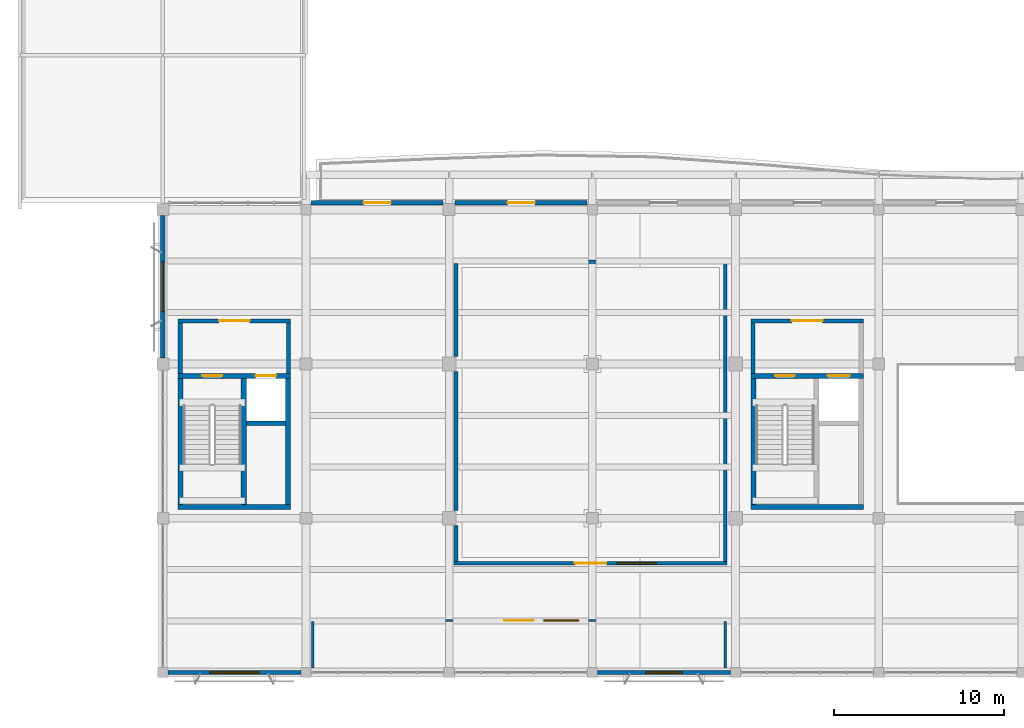
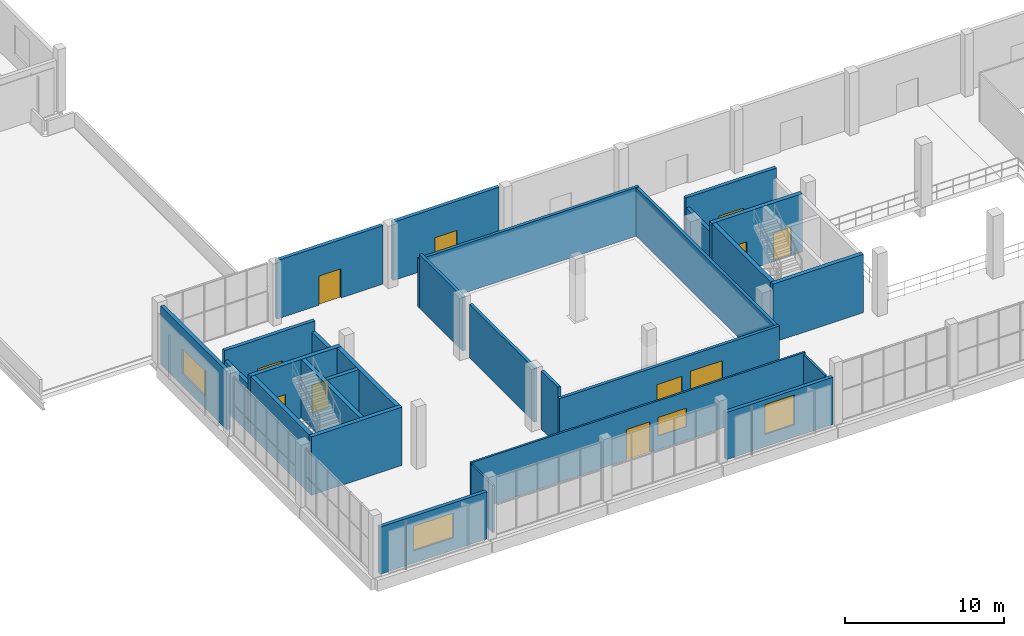
# One storey, part 56 of 80: 28 walls, 10 doors, 5 windows, 15 openings.
"""IFC4 building model written with IfcOpenShell, lengths in metres."""

from ifc_helpers import new_model, si_unit, direction, frame, frame_2d, origin, place, context, subcontext, project, spatial, rectangle, extrude, material, layer, layer_set, type_object, element, fill, save


model = new_model("IFC4")

# Units and contexts
model_context = context("Model", 3, precision=1e-05, world=origin(), true_north=direction((0.0, 1.0)))
body_context = subcontext(model_context, "Body", "Model", "MODEL_VIEW")
ifc_project = project(units=[si_unit("LENGTHUNIT", "METRE"), si_unit("AREAUNIT", "SQUARE_METRE"), si_unit("VOLUMEUNIT", "CUBIC_METRE"), si_unit("PLANEANGLEUNIT", "RADIAN"), si_unit("MASSUNIT", "GRAM", prefix="KILO")], contexts=[model_context])

# Site, building, storey
site_placement = place(None, origin())
site = spatial("IfcSite", under=ifc_project, at=site_placement, CompositionType="ELEMENT")
building_placement = place(site_placement, origin())
building = spatial("IfcBuilding", under=site, at=building_placement, Name="Khurvash Pelagic Aquarium", CompositionType="ELEMENT")
storey_placement = place(building_placement, frame((0.0, 0.0, 10.800048828125)))
storey = spatial("IfcBuildingStorey", under=building, at=storey_placement, Name="L02", CompositionType="ELEMENT", Elevation=10.800048828125)

# Wall, opening, window
ifc_material_1 = material(Name="Glass-fibre reinforced concrete C40/50", Category="concrete")
ifc_layer_1 = layer(ifc_material_1, 0.260009765625)
ifc_layer_set_1 = layer_set([ifc_layer_1], Name="Glass-fibre reinforced concrete C40/50")
wall_type_1 = type_object("IfcWallType", Name="EW-260", PredefinedType="STANDARD", material=ifc_layer_set_1)
wall_1_placement = place(storey_placement, frame((25.199951171875, 29.39501953125, 0.0), z_axis=(0.0, 0.0, 1.0), x_axis=(0.0, -1.0, 0.0)))
wall_1 = element("IfcWall", 1, at=wall_1_placement, inside=storey, type_object=wall_type_1, Name="L02 Exterior Architectural Facade Wall EW-260 0066", PredefinedType="STANDARD", context=body_context, shape_type="SweptSolid", body=[
    extrude(rectangle(XDim=8.340087890625, YDim=0.260009765625, at=frame_2d((4.169921875, 0.0))), origin(), (0.0, 0.0, 1.0), 4.5),
])
opening_1_placement = place(wall_1_placement, frame((2.719970703125, 0.0, 0.949951171875)))
opening_1 = element("IfcOpeningElement", 2, at=opening_1_placement, cuts=wall_1, Name="Opening WN-26", PredefinedType="OPENING", context=body_context, shape_type="SweptSolid", body=[
    extrude(rectangle(XDim=2.89990234375, YDim=1.89990234375, at=frame_2d((1.449951171875, 0.949951171875))), frame((0.0, 0.14013671875, 0.0), z_axis=(0.0, -1.0, 0.0), x_axis=(1.0, 0.0, 0.0)), (0.0, 0.0, 1.0), 0.280029296875),
])
ifc_material_2 = material(Name="Thermally broken aluminium and low-E glass", Category="aluminium")
window_type_1 = type_object("IfcWindowType", Name="WN-26", PartitioningType="SINGLE_PANEL", PredefinedType="WINDOW", material=ifc_material_2)
window_1_placement = place(opening_1_placement, origin())
window_1 = element("IfcWindow", 3, at=window_1_placement, inside=storey, type_object=window_type_1, Name="L02 Facade Window WN-26 0037", OverallHeight=1.89990234375, OverallWidth=2.89990234375, PartitioningType="SINGLE_PANEL", PredefinedType="WINDOW", context=body_context, shape_type="SweptSolid", body=[
    extrude(rectangle(XDim=2.89990234375, YDim=1.89990234375, at=frame_2d((1.449951171875, 0.949951171875))), frame((0.0, 0.030029296875, 0.0), z_axis=(0.0, -1.0, 0.0), x_axis=(1.0, 0.0, 0.0)), (0.0, 0.0, 1.0), 0.06005859375),
])
fill(opening_1, window_1)

wall_2_placement = place(storey_placement, frame((25.5048828125, 2.60009765625, 0.0), z_axis=(0.0, 0.0, 1.0), x_axis=(1.0, 0.0, 0.0)))
wall_2 = element("IfcWall", 4, at=wall_2_placement, inside=storey, type_object=wall_type_1, Name="L02 Exterior Architectural Facade Wall EW-260 0067", PredefinedType="STANDARD", context=body_context, shape_type="SweptSolid", body=[
    extrude(rectangle(XDim=7.7900390625, YDim=0.260009765625, at=frame_2d((3.89501953125, 0.0))), origin(), (0.0, 0.0, 1.0), 3.6298828125),
])
opening_2_placement = place(wall_2_placement, frame((2.445068359375, 0.0, 0.949951171875)))
opening_2 = element("IfcOpeningElement", 5, at=opening_2_placement, cuts=wall_2, Name="Opening WN-26", PredefinedType="OPENING", context=body_context, shape_type="SweptSolid", body=[
    extrude(rectangle(XDim=2.89990234375, YDim=1.89990234375, at=frame_2d((1.449951171875, 0.949951171875))), frame((0.0, 0.14013671875, 0.0), z_axis=(0.0, -1.0, 0.0), x_axis=(1.0, 0.0, 0.0)), (0.0, 0.0, 1.0), 0.280029296875),
])
window_2_placement = place(opening_2_placement, origin())
window_2 = element("IfcWindow", 6, at=window_2_placement, inside=storey, type_object=window_type_1, Name="L02 Facade Window WN-26 0038", OverallHeight=1.89990234375, OverallWidth=2.89990234375, PartitioningType="SINGLE_PANEL", PredefinedType="WINDOW", context=body_context, shape_type="SweptSolid", body=[
    extrude(rectangle(XDim=2.89990234375, YDim=1.89990234375, at=frame_2d((1.449951171875, 0.949951171875))), frame((0.0, 0.030029296875, 0.0), z_axis=(0.0, -1.0, 0.0), x_axis=(1.0, 0.0, 0.0)), (0.0, 0.0, 1.0), 0.06005859375),
])
fill(opening_2, window_2)

wall_3_placement = place(storey_placement, frame((50.705078125, 2.60009765625, 0.0), z_axis=(0.0, 0.0, 1.0), x_axis=(1.0, 0.0, 0.0)))
wall_3 = element("IfcWall", 7, at=wall_3_placement, inside=storey, type_object=wall_type_1, Name="L02 Exterior Architectural Facade Wall EW-260 0068", PredefinedType="STANDARD", context=body_context, shape_type="SweptSolid", body=[
    extrude(rectangle(XDim=7.7900390625, YDim=0.260009765625, at=frame_2d((3.89501953125, 0.0))), origin(), (0.0, 0.0, 1.0), 3.6298828125),
])
opening_3_placement = place(wall_3_placement, frame((2.820068359375, 0.0, 0.949951171875)))
opening_3 = element("IfcOpeningElement", 8, at=opening_3_placement, cuts=wall_3, Name="Opening WN-30", PredefinedType="OPENING", context=body_context, shape_type="SweptSolid", body=[
    extrude(rectangle(XDim=2.14990234375, YDim=2.300048828125, at=frame_2d((1.074951171875, 1.14990234375))), frame((0.0, 0.14013671875, 0.0), z_axis=(0.0, -1.0, 0.0), x_axis=(1.0, 0.0, 0.0)), (0.0, 0.0, 1.0), 0.280029296875),
])
window_type_2 = type_object("IfcWindowType", Name="WN-30", PartitioningType="SINGLE_PANEL", PredefinedType="WINDOW", material=ifc_material_2)
window_3_placement = place(opening_3_placement, origin())
window_3 = element("IfcWindow", 9, at=window_3_placement, inside=storey, type_object=window_type_2, Name="L02 Facade Window WN-30 0039", OverallHeight=2.300048828125, OverallWidth=2.14990234375, PartitioningType="SINGLE_PANEL", PredefinedType="WINDOW", context=body_context, shape_type="SweptSolid", body=[
    extrude(rectangle(XDim=2.14990234375, YDim=2.300048828125, at=frame_2d((1.074951171875, 1.14990234375))), frame((0.0, 0.030029296875, 0.0), z_axis=(0.0, -1.0, 0.0), x_axis=(1.0, 0.0, 0.0)), (0.0, 0.0, 1.0), 0.06005859375),
])
fill(opening_3, window_3)

# Wall, opening, door
wall_4_placement = place(storey_placement, frame((50.094970703125, 30.14990234375, 0.0), z_axis=(0.0, 0.0, 1.0), x_axis=(-1.0, 0.0, 0.0)))
wall_4 = element("IfcWall", 10, at=wall_4_placement, inside=storey, type_object=wall_type_1, Name="L02 Exterior Architectural Facade Wall EW-260 0078", PredefinedType="STANDARD", context=body_context, shape_type="SweptSolid", body=[
    extrude(rectangle(XDim=7.739990234375, YDim=0.260009765625, at=frame_2d((3.8701171875, 0.0))), origin(), (0.0, 0.0, 1.0), 4.5),
])
opening_4_placement = place(wall_4_placement, frame((3.070068359375, 0.0, 0.0)))
opening_4 = element("IfcOpeningElement", 11, at=opening_4_placement, cuts=wall_4, Name="Opening ED-03", PredefinedType="OPENING", context=body_context, shape_type="SweptSolid", body=[
    extrude(rectangle(XDim=1.60009765625, YDim=2.25, at=frame_2d((0.800048828125, 1.125))), frame((0.0, 0.14013671875, 0.0), z_axis=(0.0, -1.0, 0.0), x_axis=(1.0, 0.0, 0.0)), (0.0, 0.0, 1.0), 0.280029296875),
])
ifc_material_3 = material(Name="Thermally broken glazed aluminium", Category="aluminium")
door_type_1 = type_object("IfcDoorType", Name="ED-03", OperationType="DOUBLE_DOOR_SINGLE_SWING", PredefinedType="DOOR", material=ifc_material_3)
door_1_placement = place(opening_4_placement, frame((1.60009765625, 0.0, 0.0), z_axis=(0.0, 0.0, 1.0), x_axis=(-1.0, 0.0, 0.0)))
door_1 = element("IfcDoor", 12, at=door_1_placement, inside=storey, type_object=door_type_1, Name="DR-0150", OperationType="DOUBLE_DOOR_SINGLE_SWING", OverallHeight=2.25, OverallWidth=1.60009765625, PredefinedType="DOOR", context=body_context, shape_type="SweptSolid", body=[
    extrude(rectangle(XDim=1.60009765625, YDim=2.25, at=frame_2d((0.800048828125, 1.125))), frame((0.0, 0.02490234375, 0.0), z_axis=(0.0, -1.0, 0.0), x_axis=(1.0, 0.0, 0.0)), (0.0, 0.0, 1.0), 0.050048828125),
])
fill(opening_4, door_1)

wall_5_placement = place(storey_placement, frame((41.64501953125, 30.14990234375, 0.0), z_axis=(0.0, 0.0, 1.0), x_axis=(-1.0, 0.0, 0.0)))
wall_5 = element("IfcWall", 13, at=wall_5_placement, inside=storey, type_object=wall_type_1, Name="L02 Exterior Architectural Facade Wall EW-260 0079", PredefinedType="STANDARD", context=body_context, shape_type="SweptSolid", body=[
    extrude(rectangle(XDim=7.739990234375, YDim=0.260009765625, at=frame_2d((3.8701171875, 0.0))), origin(), (0.0, 0.0, 1.0), 4.5),
])
opening_5_placement = place(wall_5_placement, frame((3.070068359375, 0.0, 0.0)))
opening_5 = element("IfcOpeningElement", 14, at=opening_5_placement, cuts=wall_5, Name="Opening ED-03", PredefinedType="OPENING", context=body_context, shape_type="SweptSolid", body=[
    extrude(rectangle(XDim=1.60009765625, YDim=2.25, at=frame_2d((0.800048828125, 1.125))), frame((0.0, 0.14013671875, 0.0), z_axis=(0.0, -1.0, 0.0), x_axis=(1.0, 0.0, 0.0)), (0.0, 0.0, 1.0), 0.280029296875),
])
door_2_placement = place(opening_5_placement, frame((1.60009765625, 0.0, 0.0), z_axis=(0.0, 0.0, 1.0), x_axis=(-1.0, 0.0, 0.0)))
door_2 = element("IfcDoor", 15, at=door_2_placement, inside=storey, type_object=door_type_1, Name="DR-0151", OperationType="DOUBLE_DOOR_SINGLE_SWING", OverallHeight=2.25, OverallWidth=1.60009765625, PredefinedType="DOOR", context=body_context, shape_type="SweptSolid", body=[
    extrude(rectangle(XDim=1.60009765625, YDim=2.25, at=frame_2d((0.800048828125, 1.125))), frame((0.0, 0.02490234375, 0.0), z_axis=(0.0, -1.0, 0.0), x_axis=(1.0, 0.0, 0.0)), (0.0, 0.0, 1.0), 0.050048828125),
])
fill(opening_5, door_2)

# Wall, openings, door, window
ifc_material_4 = material(Name="Moisture-resistant gypsum and steel stud", Category="steel")
ifc_layer_2 = layer(ifc_material_4, 0.139892578125)
ifc_layer_set_2 = layer_set([ifc_layer_2], Name="Moisture-resistant gypsum and steel stud")
wall_type_2 = type_object("IfcWallType", Name="PW-140", PredefinedType="PARTITIONING", material=ifc_layer_set_2)
wall_6_placement = place(storey_placement, frame((33.929931640625, 5.64990234375, 0.0), z_axis=(0.0, 0.0, 1.0), x_axis=(1.0, 0.0, 0.0)))
wall_6 = element("IfcWall", 16, at=wall_6_placement, inside=storey, type_object=wall_type_2, Name="L02 Indus Blind Dolphin Habitat Gallery Partition Wall PW-140", PredefinedType="PARTITIONING", context=body_context, shape_type="SweptSolid", body=[
    extrude(rectangle(XDim=24.340087890625, YDim=0.139892578125, at=frame_2d((12.169921875, 0.0))), origin(), (0.0, 0.0, 1.0), 3.75),
])
opening_6_placement = place(wall_6_placement, frame((11.31005859375, 0.0, 0.0)))
opening_6 = element("IfcOpeningElement", 17, at=opening_6_placement, cuts=wall_6, Name="Opening ID-17", PredefinedType="OPENING", context=body_context, shape_type="SweptSolid", body=[
    extrude(rectangle(XDim=1.719970703125, YDim=2.35009765625, at=frame_2d((0.85986328125, 1.175048828125))), frame((0.0, 0.080078125, 0.0), z_axis=(0.0, -1.0, 0.0), x_axis=(1.0, 0.0, 0.0)), (0.0, 0.0, 1.0), 0.159912109375),
])
opening_7_placement = place(wall_6_placement, frame((13.6298828125, 0.0, 1.050048828125)))
opening_7 = element("IfcOpeningElement", 18, at=opening_7_placement, cuts=wall_6, Name="Opening IW-15", PredefinedType="OPENING", context=body_context, shape_type="SweptSolid", body=[
    extrude(rectangle(XDim=2.050048828125, YDim=1.419921875, at=frame_2d((1.02490234375, 0.7099609375))), frame((0.0, 0.080078125, 0.0), z_axis=(0.0, -1.0, 0.0), x_axis=(1.0, 0.0, 0.0)), (0.0, 0.0, 1.0), 0.159912109375),
])
ifc_material_5 = material(Name="Exhibit gallery portal double door", Category="wood")
door_type_2 = type_object("IfcDoorType", Name="ID-17", OperationType="DOUBLE_DOOR_SINGLE_SWING", PredefinedType="DOOR", material=ifc_material_5)
door_3_placement = place(opening_6_placement, frame((1.719970703125, 0.0, 0.0), z_axis=(0.0, 0.0, 1.0), x_axis=(-1.0, 0.0, 0.0)))
door_3 = element("IfcDoor", 19, at=door_3_placement, inside=storey, type_object=door_type_2, Name="DR-0156", OperationType="DOUBLE_DOOR_SINGLE_SWING", OverallHeight=2.35009765625, OverallWidth=1.719970703125, PredefinedType="DOOR", context=body_context, shape_type="SweptSolid", body=[
    extrude(rectangle(XDim=1.719970703125, YDim=2.35009765625, at=frame_2d((0.85986328125, 1.175048828125))), frame((0.0, 0.02490234375, 0.0), z_axis=(0.0, -1.0, 0.0), x_axis=(1.0, 0.0, 0.0)), (0.0, 0.0, 1.0), 0.050048828125),
])
fill(opening_6, door_3)
ifc_material_6 = material(Name="Acoustic laminated interior observation glazing", Category="glass")
window_type_3 = type_object("IfcWindowType", Name="IW-15", PartitioningType="SINGLE_PANEL", PredefinedType="WINDOW", material=ifc_material_6)
window_4_placement = place(opening_7_placement, origin())
window_4 = element("IfcWindow", 20, at=window_4_placement, inside=storey, type_object=window_type_3, Name="L02 Indus Blind Dolphin Habitat Gallery Observation Window IW-15", OverallHeight=1.419921875, OverallWidth=2.050048828125, PartitioningType="SINGLE_PANEL", PredefinedType="WINDOW", context=body_context, shape_type="SweptSolid", body=[
    extrude(rectangle(XDim=2.050048828125, YDim=1.419921875, at=frame_2d((1.02490234375, 0.7099609375))), frame((0.0, 0.030029296875, 0.0), z_axis=(0.0, -1.0, 0.0), x_axis=(1.0, 0.0, 0.0)), (0.0, 0.0, 1.0), 0.06005859375),
])
fill(opening_7, window_4)

# Walls
for number, where, z_axis, x_axis, name in (
    (21, (58.199951171875, 2.8701171875, 0.0), (0.0, 0.0, 1.0), (0.0, 1.0, 0.0), "L02 Indus Blind Dolphin Habitat Gallery Partition Wall PW-140"),
    (22, (34.0, 2.8701171875, 0.0), (0.0, 0.0, 1.0), (0.0, 1.0, 0.0), "L02 Indus Blind Dolphin Habitat Gallery Partition Wall PW-140"),
):
    element("IfcWall", number, at=place(storey_placement, frame(where, z_axis=z_axis, x_axis=x_axis)), inside=storey, type_object=wall_type_2, Name=name, PredefinedType="PARTITIONING", context=body_context, shape_type="SweptSolid", body=[
        extrude(rectangle(XDim=2.7099609375, YDim=0.139892578125, at=frame_2d((1.35498046875, 0.0))), origin(), (0.0, 0.0, 1.0), 3.6298828125),
    ])

# Wall, openings, door, window
ifc_material_7 = material(Name="AAC blockwork", Category="masonry")
ifc_layer_3 = layer(ifc_material_7, 0.215087890625)
ifc_layer_set_3 = layer_set([ifc_layer_3], Name="AAC blockwork")
wall_type_3 = type_object("IfcWallType", Name="PW-215", PredefinedType="PARTITIONING", material=ifc_layer_set_3)
wall_7_placement = place(storey_placement, frame((42.2919921875, 9.0, 0.0), z_axis=(0.0, 0.0, 1.0), x_axis=(1.0, 0.0, 0.0)))
wall_7 = element("IfcWall", 23, at=wall_7_placement, inside=storey, type_object=wall_type_3, Name="L02 Himalayan Snow Trout Coldwater Gallery Partition Wall PW-215", PredefinedType="PARTITIONING", context=body_context, shape_type="SweptSolid", body=[
    extrude(rectangle(XDim=16.01611328125, YDim=0.215087890625, at=frame_2d((8.008056640625, 0.0))), origin(), (0.0, 0.0, 1.0), 3.75),
])
opening_8_placement = place(wall_7_placement, frame((7.087890625, 0.0, 0.0)))
opening_8 = element("IfcOpeningElement", 24, at=opening_8_placement, cuts=wall_7, Name="Opening ID-18", PredefinedType="OPENING", context=body_context, shape_type="SweptSolid", body=[
    extrude(rectangle(XDim=1.840087890625, YDim=2.35009765625, at=frame_2d((0.919921875, 1.175048828125))), frame((0.0, 0.11767578125, 0.0), z_axis=(0.0, -1.0, 0.0), x_axis=(1.0, 0.0, 0.0)), (0.0, 0.0, 1.0), 0.235107421875),
])
opening_9_placement = place(wall_7_placement, frame((9.528076171875, 0.0, 1.050048828125)))
opening_9 = element("IfcOpeningElement", 25, at=opening_9_placement, cuts=wall_7, Name="Opening IW-16", PredefinedType="OPENING", context=body_context, shape_type="SweptSolid", body=[
    extrude(rectangle(XDim=2.35009765625, YDim=1.47998046875, at=frame_2d((1.175048828125, 0.739990234375))), frame((0.0, 0.11767578125, 0.0), z_axis=(0.0, -1.0, 0.0), x_axis=(1.0, 0.0, 0.0)), (0.0, 0.0, 1.0), 0.235107421875),
])
ifc_material_8 = material(Name="Pelagic hall double door", Category="wood")
door_type_3 = type_object("IfcDoorType", Name="ID-18", OperationType="DOUBLE_DOOR_SINGLE_SWING", PredefinedType="DOOR", material=ifc_material_8)
door_4_placement = place(opening_8_placement, origin())
door_4 = element("IfcDoor", 26, at=door_4_placement, inside=storey, type_object=door_type_3, Name="DR-0157", OperationType="DOUBLE_DOOR_SINGLE_SWING", OverallHeight=2.35009765625, OverallWidth=1.840087890625, PredefinedType="DOOR", context=body_context, shape_type="SweptSolid", body=[
    extrude(rectangle(XDim=1.840087890625, YDim=2.35009765625, at=frame_2d((0.919921875, 1.175048828125))), frame((0.0, 0.02490234375, 0.0), z_axis=(0.0, -1.0, 0.0), x_axis=(1.0, 0.0, 0.0)), (0.0, 0.0, 1.0), 0.050048828125),
])
fill(opening_8, door_4)
window_type_4 = type_object("IfcWindowType", Name="IW-16", PartitioningType="SINGLE_PANEL", PredefinedType="WINDOW", material=ifc_material_6)
window_5_placement = place(opening_9_placement, origin())
window_5 = element("IfcWindow", 27, at=window_5_placement, inside=storey, type_object=window_type_4, Name="L02 Himalayan Snow Trout Coldwater Gallery Observation Window IW-16", OverallHeight=1.47998046875, OverallWidth=2.35009765625, PartitioningType="SINGLE_PANEL", PredefinedType="WINDOW", context=body_context, shape_type="SweptSolid", body=[
    extrude(rectangle(XDim=2.35009765625, YDim=1.47998046875, at=frame_2d((1.175048828125, 0.739990234375))), frame((0.0, 0.030029296875, 0.0), z_axis=(0.0, -1.0, 0.0), x_axis=(1.0, 0.0, 0.0)), (0.0, 0.0, 1.0), 0.06005859375),
])
fill(opening_9, window_5)

# Walls
wall_8_placement = place(storey_placement, frame((42.2919921875, 26.699951171875, 0.0), z_axis=(0.0, 0.0, 1.0), x_axis=(1.0, 0.0, 0.0)))
element("IfcWall", 28, at=wall_8_placement, inside=storey, type_object=wall_type_3, Name="L02 Himalayan Snow Trout Coldwater Gallery Partition Wall PW-215", PredefinedType="PARTITIONING", context=body_context, shape_type="SweptSolid", body=[
    extrude(rectangle(XDim=16.01611328125, YDim=0.215087890625, at=frame_2d((8.008056640625, 0.0))), origin(), (0.0, 0.0, 1.0), 3.75),
])
wall_9_placement = place(storey_placement, frame((58.199951171875, 9.10693359375, 0.0), z_axis=(0.0, 0.0, 1.0), x_axis=(0.0, 1.0, 0.0)))
element("IfcWall", 29, at=wall_9_placement, inside=storey, type_object=wall_type_3, Name="L02 Himalayan Snow Trout Coldwater Gallery Partition Wall PW-215", PredefinedType="PARTITIONING", context=body_context, shape_type="SweptSolid", body=[
    extrude(rectangle(XDim=17.485107421875, YDim=0.215087890625, at=frame_2d((8.74267578125, 0.0))), origin(), (0.0, 0.0, 1.0), 3.72998046875),
])
wall_10_placement = place(storey_placement, frame((42.39990234375, 9.10693359375, 0.0), z_axis=(0.0, 0.0, 1.0), x_axis=(0.0, 1.0, 0.0)))
element("IfcWall", 30, at=wall_10_placement, inside=storey, type_object=wall_type_3, Name="L02 Himalayan Snow Trout Coldwater Gallery Partition Wall PW-215", PredefinedType="PARTITIONING", context=body_context, shape_type="SweptSolid", body=[
    extrude(rectangle(XDim=2.10302734375, YDim=0.215087890625, at=frame_2d((1.051513671875, 0.0))), origin(), (0.0, 0.0, 1.0), 4.5),
])
wall_11_placement = place(storey_placement, frame((42.39990234375, 12.090087890625, 0.0), z_axis=(0.0, 0.0, 1.0), x_axis=(0.0, 1.0, 0.0)))
element("IfcWall", 31, at=wall_11_placement, inside=storey, type_object=wall_type_3, Name="L02 Himalayan Snow Trout Coldwater Gallery Partition Wall PW-215", PredefinedType="PARTITIONING", context=body_context, shape_type="SweptSolid", body=[
    extrude(rectangle(XDim=8.169921875, YDim=0.215087890625, at=frame_2d((4.0849609375, 0.0))), origin(), (0.0, 0.0, 1.0), 4.139892578125),
])
wall_12_placement = place(storey_placement, frame((42.39990234375, 21.139892578125, 0.0), z_axis=(0.0, 0.0, 1.0), x_axis=(0.0, 1.0, 0.0)))
element("IfcWall", 32, at=wall_12_placement, inside=storey, type_object=wall_type_3, Name="L02 Himalayan Snow Trout Coldwater Gallery Partition Wall PW-215", PredefinedType="PARTITIONING", context=body_context, shape_type="SweptSolid", body=[
    extrude(rectangle(XDim=5.4521484375, YDim=0.215087890625, at=frame_2d((2.72607421875, 0.0))), origin(), (0.0, 0.0, 1.0), 4.139892578125),
])

# Wall, opening, door
ifc_layer_4 = layer(ifc_material_7, 0.25)
ifc_layer_set_4 = layer_set([ifc_layer_4], Name="AAC blockwork")
wall_type_4 = type_object("IfcWallType", Name="PW-250", PredefinedType="PARTITIONING", material=ifc_layer_set_4)
wall_13_placement = place(storey_placement, frame((26.10009765625, 23.22509765625, 0.0), z_axis=(0.0, 0.0, 1.0), x_axis=(1.0, 0.0, 0.0)))
wall_13 = element("IfcWall", 33, at=wall_13_placement, inside=storey, type_object=wall_type_4, Name="L02 Core C1 Lobby Front Fire Wall PW-250", PredefinedType="PARTITIONING", context=body_context, shape_type="SweptSolid", body=[
    extrude(rectangle(XDim=6.599853515625, YDim=0.25, at=frame_2d((3.2998046875, 0.0))), origin(), (0.0, 0.0, 1.0), 4.5),
])
opening_10_placement = place(wall_13_placement, frame((2.39990234375, 0.0, 0.0)))
opening_10 = element("IfcOpeningElement", 34, at=opening_10_placement, cuts=wall_13, Name="Opening FD-02", PredefinedType="OPENING", context=body_context, shape_type="SweptSolid", body=[
    extrude(rectangle(XDim=1.800048828125, YDim=2.25, at=frame_2d((0.89990234375, 1.125))), frame((0.0, 0.135009765625, 0.0), z_axis=(0.0, -1.0, 0.0), x_axis=(1.0, 0.0, 0.0)), (0.0, 0.0, 1.0), 0.27001953125),
])
ifc_material_9 = material(Name="Galvanised steel double fire door", Category="steel")
door_type_4 = type_object("IfcDoorType", Name="FD-02", OperationType="DOUBLE_DOOR_SINGLE_SWING", PredefinedType="DOOR", material=ifc_material_9)
door_5_placement = place(opening_10_placement, origin())
door_5 = element("IfcDoor", 35, at=door_5_placement, inside=storey, type_object=door_type_4, Name="DR-0166", OperationType="DOUBLE_DOOR_SINGLE_SWING", OverallHeight=2.25, OverallWidth=1.800048828125, PredefinedType="DOOR", context=body_context, shape_type="SweptSolid", body=[
    extrude(rectangle(XDim=1.800048828125, YDim=2.25, at=frame_2d((0.89990234375, 1.125))), frame((0.0, 0.02490234375, 0.0), z_axis=(0.0, -1.0, 0.0), x_axis=(1.0, 0.0, 0.0)), (0.0, 0.0, 1.0), 0.050048828125),
])
fill(opening_10, door_5)

# Walls
for number, where, z_axis, x_axis, name in (
    (36, (26.22509765625, 20.14990234375, 0.0), (0.0, 0.0, 1.0), (0.0, 1.0, 0.0), "L02 Core C1 Lobby West Fire Wall PW-250"),
    (37, (32.574951171875, 20.14990234375, 0.0), (0.0, 0.0, 1.0), (0.0, 1.0, 0.0), "L02 Core C1 Lobby East Fire Wall PW-250"),
):
    element("IfcWall", number, at=place(storey_placement, frame(where, z_axis=z_axis, x_axis=x_axis)), inside=storey, type_object=wall_type_4, Name=name, PredefinedType="PARTITIONING", context=body_context, shape_type="SweptSolid", body=[
        extrude(rectangle(XDim=2.9501953125, YDim=0.25, at=frame_2d((1.47509765625, 0.0))), origin(), (0.0, 0.0, 1.0), 3.72998046875),
    ])

# Wall, opening, door
wall_14_placement = place(storey_placement, frame((59.699951171875, 23.22509765625, 0.0), z_axis=(0.0, 0.0, 1.0), x_axis=(1.0, 0.0, 0.0)))
wall_14 = element("IfcWall", 38, at=wall_14_placement, inside=storey, type_object=wall_type_4, Name="L02 Core C2 Lobby Front Fire Wall PW-250", PredefinedType="PARTITIONING", context=body_context, shape_type="SweptSolid", body=[
    extrude(rectangle(XDim=6.60009765625, YDim=0.25, at=frame_2d((3.300048828125, 0.0))), origin(), (0.0, 0.0, 1.0), 4.5),
])
opening_11_placement = place(wall_14_placement, frame((2.39990234375, 0.0, 0.0)))
opening_11 = element("IfcOpeningElement", 39, at=opening_11_placement, cuts=wall_14, Name="Opening FD-02", PredefinedType="OPENING", context=body_context, shape_type="SweptSolid", body=[
    extrude(rectangle(XDim=1.800048828125, YDim=2.25, at=frame_2d((0.89990234375, 1.125))), frame((0.0, 0.135009765625, 0.0), z_axis=(0.0, -1.0, 0.0), x_axis=(1.0, 0.0, 0.0)), (0.0, 0.0, 1.0), 0.27001953125),
])
door_6_placement = place(opening_11_placement, origin())
door_6 = element("IfcDoor", 40, at=door_6_placement, inside=storey, type_object=door_type_4, Name="DR-0167", OperationType="DOUBLE_DOOR_SINGLE_SWING", OverallHeight=2.25, OverallWidth=1.800048828125, PredefinedType="DOOR", context=body_context, shape_type="SweptSolid", body=[
    extrude(rectangle(XDim=1.800048828125, YDim=2.25, at=frame_2d((0.89990234375, 1.125))), frame((0.0, 0.02490234375, 0.0), z_axis=(0.0, -1.0, 0.0), x_axis=(1.0, 0.0, 0.0)), (0.0, 0.0, 1.0), 0.050048828125),
])
fill(opening_11, door_6)

# Walls
wall_15_placement = place(storey_placement, frame((59.824951171875, 20.14990234375, 0.0), z_axis=(0.0, 0.0, 1.0), x_axis=(0.0, 1.0, 0.0)))
element("IfcWall", 41, at=wall_15_placement, inside=storey, type_object=wall_type_4, Name="L02 Core C2 Lobby West Fire Wall PW-250", PredefinedType="PARTITIONING", context=body_context, shape_type="SweptSolid", body=[
    extrude(rectangle(XDim=2.9501953125, YDim=0.25, at=frame_2d((1.47509765625, 0.0))), origin(), (0.0, 0.0, 1.0), 3.72998046875),
])
ifc_material_10 = material(Name="Concrete C40/50", Category="concrete")
ifc_layer_5 = layer(ifc_material_10, 0.27490234375)
ifc_layer_set_5 = layer_set([ifc_layer_5], Name="Concrete C40/50")
wall_type_5 = type_object("IfcWallType", Name="SW-275", PredefinedType="SHEAR", material=ifc_layer_set_5)
wall_16_placement = place(storey_placement, frame((30.10009765625, 17.212890625, 0.0), z_axis=(0.0, 0.0, 1.0), x_axis=(1.0, 0.0, 0.0)))
element("IfcWall", 42, at=wall_16_placement, inside=storey, type_object=wall_type_5, Name="L02 Lift FL-01 Shaft Rear Shear Wall SW-275", PredefinedType="SHEAR", context=body_context, shape_type="SweptSolid", body=[
    extrude(rectangle(XDim=2.2998046875, YDim=0.27490234375, at=frame_2d((1.14990234375, 0.0))), origin(), (0.0, 0.0, 1.0), 4.5),
])
ifc_layer_6 = layer(ifc_material_10, 0.300048828125)
ifc_layer_set_6 = layer_set([ifc_layer_6], Name="Concrete C40/50")
wall_type_6 = type_object("IfcWallType", Name="SW-300", PredefinedType="SHEAR", material=ifc_layer_set_6)
wall_17_placement = place(storey_placement, frame((26.10009765625, 12.300048828125, 0.0), z_axis=(0.0, 0.0, 1.0), x_axis=(1.0, 0.0, 0.0)))
element("IfcWall", 43, at=wall_17_placement, inside=storey, type_object=wall_type_6, Name="L02 Core C1 South Shear Wall SW-300", PredefinedType="SHEAR", context=body_context, shape_type="SweptSolid", body=[
    extrude(rectangle(XDim=6.599853515625, YDim=0.300048828125, at=frame_2d((3.2998046875, 0.0))), origin(), (0.0, 0.0, 1.0), 4.5),
])

# Wall, openings, doors
wall_18_placement = place(storey_placement, frame((26.10009765625, 20.0, 0.0), z_axis=(0.0, 0.0, 1.0), x_axis=(1.0, 0.0, 0.0)))
wall_18 = element("IfcWall", 44, at=wall_18_placement, inside=storey, type_object=wall_type_6, Name="L02 Core C1 North Shear Wall SW-300", PredefinedType="SHEAR", context=body_context, shape_type="SweptSolid", body=[
    extrude(rectangle(XDim=6.599853515625, YDim=0.300048828125, at=frame_2d((3.2998046875, 0.0))), origin(), (0.0, 0.0, 1.0), 4.5),
])
opening_12_placement = place(wall_18_placement, frame((1.425048828125, 0.0, 0.0)))
opening_12 = element("IfcOpeningElement", 45, at=opening_12_placement, cuts=wall_18, Name="Opening FD-01", PredefinedType="OPENING", context=body_context, shape_type="SweptSolid", body=[
    extrude(rectangle(XDim=1.14990234375, YDim=2.199951171875, at=frame_2d((0.574951171875, 1.10009765625))), frame((0.0, 0.16015625, 0.0), z_axis=(0.0, -1.0, 0.0), x_axis=(1.0, 0.0, 0.0)), (0.0, 0.0, 1.0), 0.320068359375),
])
opening_13_placement = place(wall_18_placement, frame((4.550048828125, 0.0, 0.0)))
opening_13 = element("IfcOpeningElement", 46, at=opening_13_placement, cuts=wall_18, Name="Opening LD-01", PredefinedType="OPENING", context=body_context, shape_type="SweptSolid", body=[
    extrude(rectangle(XDim=1.199951171875, YDim=2.14990234375, at=frame_2d((0.60009765625, 1.074951171875))), frame((0.0, 0.16015625, 0.0), z_axis=(0.0, -1.0, 0.0), x_axis=(1.0, 0.0, 0.0)), (0.0, 0.0, 1.0), 0.320068359375),
])
ifc_material_11 = material(Name="Galvanised steel fire door", Category="steel")
door_type_5 = type_object("IfcDoorType", Name="FD-01", OperationType="NOTDEFINED", PredefinedType="DOOR", material=ifc_material_11)
door_7_placement = place(opening_12_placement, frame((1.14990234375, 0.0, 0.0), z_axis=(0.0, 0.0, 1.0), x_axis=(-1.0, 0.0, 0.0)))
door_7 = element("IfcDoor", 47, at=door_7_placement, inside=storey, type_object=door_type_5, Name="DR-0132", OperationType="SINGLE_SWING_RIGHT", OverallHeight=2.199951171875, OverallWidth=1.14990234375, PredefinedType="DOOR", context=body_context, shape_type="SweptSolid", body=[
    extrude(rectangle(XDim=1.14990234375, YDim=2.199951171875, at=frame_2d((0.574951171875, 1.10009765625))), frame((0.0, 0.02490234375, 0.0), z_axis=(0.0, -1.0, 0.0), x_axis=(1.0, 0.0, 0.0)), (0.0, 0.0, 1.0), 0.050048828125),
])
fill(opening_12, door_7)
ifc_material_12 = material(Name="Brushed stainless steel 316 lift landing door", Category="steel")
door_type_6 = type_object("IfcDoorType", Name="LD-01", OperationType="DOUBLE_DOOR_SLIDING", PredefinedType="DOOR", material=ifc_material_12)
door_8_placement = place(opening_13_placement, origin())
door_8 = element("IfcDoor", 48, at=door_8_placement, inside=storey, type_object=door_type_6, Name="DR-0138", OperationType="DOUBLE_DOOR_SLIDING", OverallHeight=2.14990234375, OverallWidth=1.199951171875, PredefinedType="DOOR", context=body_context, shape_type="SweptSolid", body=[
    extrude(rectangle(XDim=1.199951171875, YDim=2.14990234375, at=frame_2d((0.60009765625, 1.074951171875))), frame((0.0, 0.02490234375, 0.0), z_axis=(0.0, -1.0, 0.0), x_axis=(1.0, 0.0, 0.0)), (0.0, 0.0, 1.0), 0.050048828125),
])
fill(opening_13, door_8)

# Walls
for number, where, z_axis, x_axis, name in (
    (49, (26.25, 12.449951171875, 0.0), (0.0, 0.0, 1.0), (0.0, 1.0, 0.0), "L02 Core C1 West Shear Wall SW-300"),
    (50, (32.550048828125, 12.449951171875, 0.0), (0.0, 0.0, 1.0), (0.0, 1.0, 0.0), "L02 Core C1 East Shear Wall SW-300"),
    (51, (29.949951171875, 12.449951171875, 0.0), (0.0, 0.0, 1.0), (0.0, 1.0, 0.0), "L02 Core C1 Divider Shear Wall SW-300"),
):
    element("IfcWall", number, at=place(storey_placement, frame(where, z_axis=z_axis, x_axis=x_axis)), inside=storey, type_object=wall_type_6, Name=name, PredefinedType="SHEAR", context=body_context, shape_type="SweptSolid", body=[
        extrude(rectangle(XDim=7.400146484375, YDim=0.300048828125, at=frame_2d((3.7001953125, 0.0))), origin(), (0.0, 0.0, 1.0), 4.5),
    ])
wall_19_placement = place(storey_placement, frame((59.699951171875, 12.300048828125, 0.0), z_axis=(0.0, 0.0, 1.0), x_axis=(1.0, 0.0, 0.0)))
element("IfcWall", 52, at=wall_19_placement, inside=storey, type_object=wall_type_6, Name="L02 Core C2 South Shear Wall SW-300", PredefinedType="SHEAR", context=body_context, shape_type="SweptSolid", body=[
    extrude(rectangle(XDim=6.60009765625, YDim=0.300048828125, at=frame_2d((3.300048828125, 0.0))), origin(), (0.0, 0.0, 1.0), 4.5),
])

# Wall, openings, doors
wall_20_placement = place(storey_placement, frame((59.699951171875, 20.0, 0.0), z_axis=(0.0, 0.0, 1.0), x_axis=(1.0, 0.0, 0.0)))
wall_20 = element("IfcWall", 53, at=wall_20_placement, inside=storey, type_object=wall_type_6, Name="L02 Core C2 North Shear Wall SW-300", PredefinedType="SHEAR", context=body_context, shape_type="SweptSolid", body=[
    extrude(rectangle(XDim=6.60009765625, YDim=0.300048828125, at=frame_2d((3.300048828125, 0.0))), origin(), (0.0, 0.0, 1.0), 4.5),
])
opening_14_placement = place(wall_20_placement, frame((1.425048828125, 0.0, 0.0)))
opening_14 = element("IfcOpeningElement", 54, at=opening_14_placement, cuts=wall_20, Name="Opening FD-01", PredefinedType="OPENING", context=body_context, shape_type="SweptSolid", body=[
    extrude(rectangle(XDim=1.14990234375, YDim=2.199951171875, at=frame_2d((0.574951171875, 1.10009765625))), frame((0.0, 0.16015625, 0.0), z_axis=(0.0, -1.0, 0.0), x_axis=(1.0, 0.0, 0.0)), (0.0, 0.0, 1.0), 0.320068359375),
])
opening_15_placement = place(wall_20_placement, frame((4.5, 0.0, 0.0)))
opening_15 = element("IfcOpeningElement", 55, at=opening_15_placement, cuts=wall_20, Name="Opening LD-02", PredefinedType="OPENING", context=body_context, shape_type="SweptSolid", body=[
    extrude(rectangle(XDim=1.300048828125, YDim=2.199951171875, at=frame_2d((0.64990234375, 1.10009765625))), frame((0.0, 0.16015625, 0.0), z_axis=(0.0, -1.0, 0.0), x_axis=(1.0, 0.0, 0.0)), (0.0, 0.0, 1.0), 0.320068359375),
])
door_9_placement = place(opening_14_placement, frame((1.14990234375, 0.0, 0.0), z_axis=(0.0, 0.0, 1.0), x_axis=(-1.0, 0.0, 0.0)))
door_9 = element("IfcDoor", 56, at=door_9_placement, inside=storey, type_object=door_type_5, Name="DR-0133", OperationType="SINGLE_SWING_RIGHT", OverallHeight=2.199951171875, OverallWidth=1.14990234375, PredefinedType="DOOR", context=body_context, shape_type="SweptSolid", body=[
    extrude(rectangle(XDim=1.14990234375, YDim=2.199951171875, at=frame_2d((0.574951171875, 1.10009765625))), frame((0.0, 0.02490234375, 0.0), z_axis=(0.0, -1.0, 0.0), x_axis=(1.0, 0.0, 0.0)), (0.0, 0.0, 1.0), 0.050048828125),
])
fill(opening_14, door_9)
door_type_7 = type_object("IfcDoorType", Name="LD-02", OperationType="DOUBLE_DOOR_SLIDING", PredefinedType="DOOR", material=ifc_material_12)
door_10_placement = place(opening_15_placement, origin())
door_10 = element("IfcDoor", 57, at=door_10_placement, inside=storey, type_object=door_type_7, Name="DR-0139", OperationType="DOUBLE_DOOR_SLIDING", OverallHeight=2.199951171875, OverallWidth=1.300048828125, PredefinedType="DOOR", context=body_context, shape_type="SweptSolid", body=[
    extrude(rectangle(XDim=1.300048828125, YDim=2.199951171875, at=frame_2d((0.64990234375, 1.10009765625))), frame((0.0, 0.02490234375, 0.0), z_axis=(0.0, -1.0, 0.0), x_axis=(1.0, 0.0, 0.0)), (0.0, 0.0, 1.0), 0.050048828125),
])
fill(opening_15, door_10)

# Wall
wall_21_placement = place(storey_placement, frame((59.85009765625, 12.449951171875, 0.0), z_axis=(0.0, 0.0, 1.0), x_axis=(0.0, 1.0, 0.0)))
element("IfcWall", 58, at=wall_21_placement, inside=storey, type_object=wall_type_6, Name="L02 Core C2 West Shear Wall SW-300", PredefinedType="SHEAR", context=body_context, shape_type="SweptSolid", body=[
    extrude(rectangle(XDim=7.400146484375, YDim=0.300048828125, at=frame_2d((3.7001953125, 0.0))), origin(), (0.0, 0.0, 1.0), 4.5),
])

save(model, "model.ifc")
